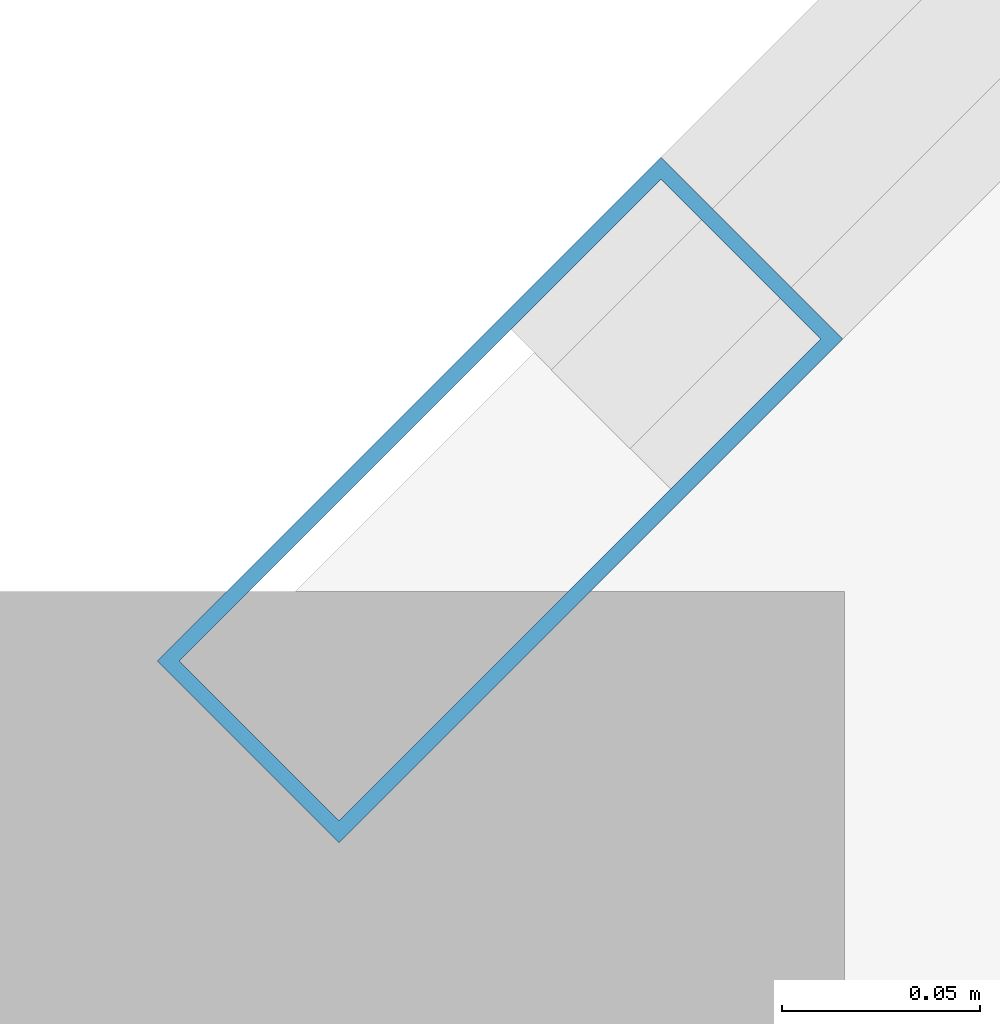
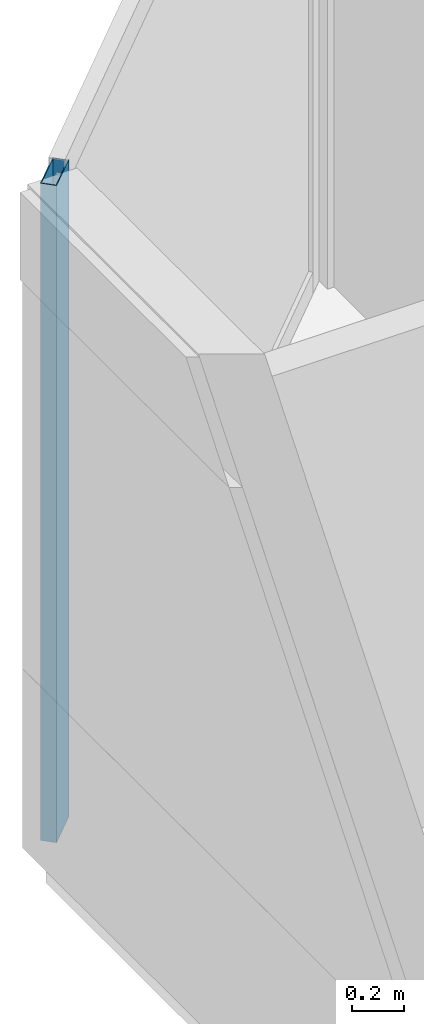
# One storey, part 5 of 29: 1 member, 1 element without a shape of its own.
"""IFC4 building model written with IfcOpenShell, lengths in metres."""

from ifc_helpers import new_model, si_unit, direction, frame, origin, origin_2d, place, context, subcontext, project, spatial, hollow_rectangle, extrude, material, layer, layer_set, material_profile, profile_set, type_object, element, aggregate, save


model = new_model("IFC4")

# Units and contexts
model_context = context("Model", 3, precision=1e-05, world=origin(), true_north=direction((0.0, 1.0)))
body_context = subcontext(model_context, "Body", "Model", "MODEL_VIEW")
ifc_project = project(units=[si_unit("LENGTHUNIT", "METRE"), si_unit("AREAUNIT", "SQUARE_METRE"), si_unit("VOLUMEUNIT", "CUBIC_METRE"), si_unit("PLANEANGLEUNIT", "RADIAN"), si_unit("MASSUNIT", "GRAM", prefix="KILO")], contexts=[model_context])

# Site, building, storey
site_placement = place(None, origin())
site = spatial("IfcSite", under=ifc_project, at=site_placement, CompositionType="ELEMENT")
building_placement = place(site_placement, origin())
building = spatial("IfcBuilding", under=site, at=building_placement, Name="Tanjung Sevakor Pilgrim Tower", CompositionType="ELEMENT")
storey_placement = place(building_placement, frame((0.0, 0.0, 235.949951171875)))
storey = spatial("IfcBuildingStorey", under=building, at=storey_placement, Name="L66", CompositionType="ELEMENT", Elevation=235.949951171875)

# Curtain wall, member
ifc_material_1 = material(Name="Aluminium 6063-T6 and Low-E Glass", Category="aluminium")
ifc_layer = layer(ifc_material_1, 0.179931640625)
ifc_layer_set = layer_set([ifc_layer], Name="CW-SYS-CHAM")
curtain_wall_type = type_object("IfcCurtainWallType", Name="CW-SYS-CHAM", PredefinedType="NOTDEFINED", material=ifc_layer_set)
curtain_wall_placement = place(storey_placement, origin())
curtain_wall = element("IfcCurtainWall", 1, at=curtain_wall_placement, inside=storey, type_object=curtain_wall_type, Name="L66 Curtain Wall CW-CHM-L66-WEST-5", PredefinedType="NOTDEFINED")
ifc_material_2 = material(Name="Aluminium 6063-T6", Category="aluminium")
ifc_material_profile = material_profile(ifc_material_2, hollow_rectangle(XDim=0.06494140625, YDim=0.179931640625, WallThickness=0.00390625, at=origin_2d()))
ifc_profile_set = profile_set([ifc_material_profile], Name="Aluminium 6063-T6")
member_type = type_object("IfcMemberType", Name="TYPE-CWM-1", PredefinedType="MULLION", material=ifc_profile_set)
member_placement = place(storey_placement, frame((22.133056640625, 43.577392578125, 0.0), z_axis=(0.0, 0.0, 1.0), x_axis=(0.707106781187, -0.707106781187, 0.0)))
member = element("IfcMember", 2, at=member_placement, type_object=member_type, Name="CW-CHM mullion 2", PredefinedType="MULLION", context=body_context, shape_type="SweptSolid", body=[
    extrude(hollow_rectangle(XDim=0.06494140625, YDim=0.179931640625, WallThickness=0.00390625, at=origin_2d()), origin(), (0.0, 0.0, 1.0), 3.080078125),
])
aggregate(curtain_wall, [member])

save(model, "model.ifc")
